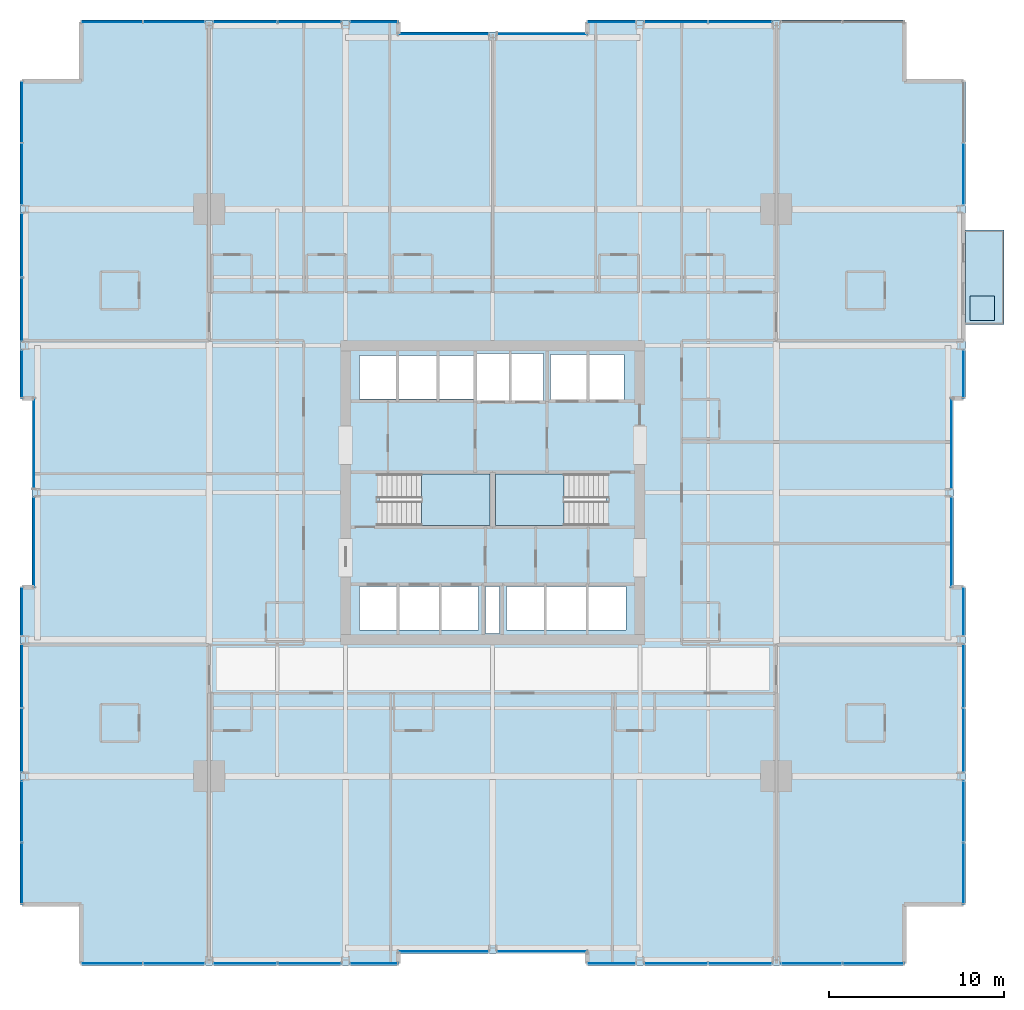
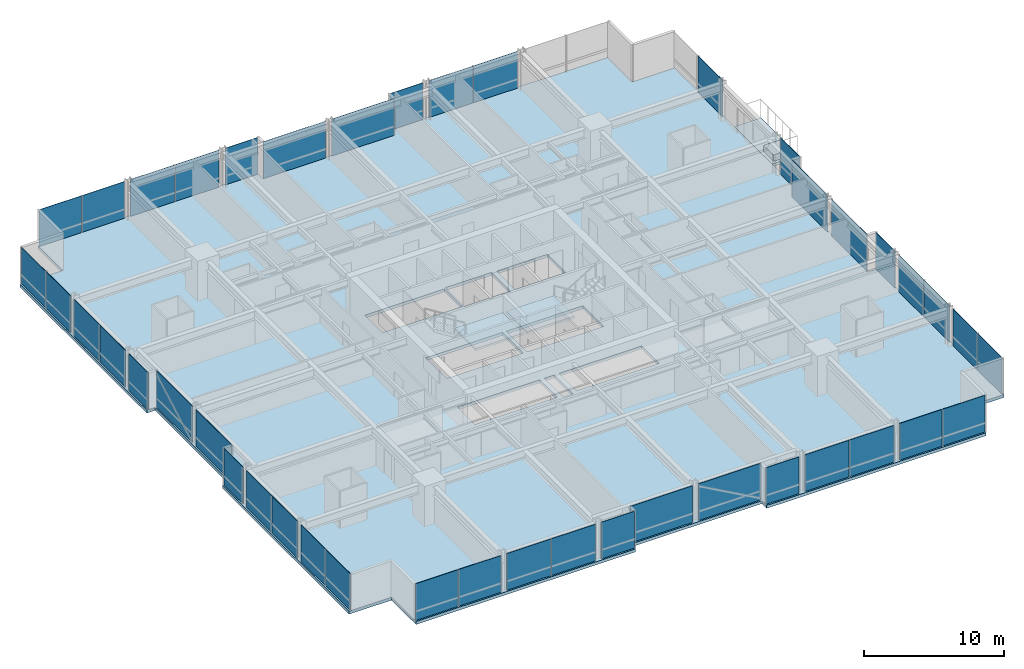
# One storey, part 29 of 38: 43 plates, 5 slabs, 32 elements without a shape of their own.
"""IFC4 building model written with IfcOpenShell, lengths in metres."""

from ifc_helpers import new_model, si_unit, direction, frame, origin, origin_2d, place, context, subcontext, project, spatial, polyline, rectangle, outline, extrude, material, layer, layer_set, type_object, element, aggregate, save


model = new_model("IFC4")

# Units and contexts
model_context = context("Model", 3, precision=1e-05, world=origin(), true_north=direction((0.0, 1.0)))
body_context = subcontext(model_context, "Body", "Model", "MODEL_VIEW")
ifc_project = project(units=[si_unit("LENGTHUNIT", "METRE"), si_unit("AREAUNIT", "SQUARE_METRE"), si_unit("VOLUMEUNIT", "CUBIC_METRE"), si_unit("PLANEANGLEUNIT", "RADIAN"), si_unit("MASSUNIT", "GRAM", prefix="KILO")], contexts=[model_context])

# Site, building, storey
site_placement = place(None, origin())
site = spatial("IfcSite", under=ifc_project, at=site_placement, CompositionType="ELEMENT")
building_placement = place(site_placement, origin())
building = spatial("IfcBuilding", under=site, at=building_placement, Name="Drelvath Grand Hotel", CompositionType="ELEMENT")
storey_placement = place(building_placement, frame((0.0, 0.0, 71.699951171875)))
storey = spatial("IfcBuildingStorey", under=building, at=storey_placement, Name="L17", CompositionType="ELEMENT", Elevation=71.699951171875)

# Slabs
ifc_material_1 = material(Name="Concrete f'c 40 MPa", Category="concrete")
ifc_layer_1 = layer(ifc_material_1, 0.239990234375)
ifc_layer_set_1 = layer_set([ifc_layer_1], Name="Concrete f'c 40 MPa")
slab_type_1 = type_object("IfcSlabType", Name="Cantilevered Tree Balcony Slab 240", PredefinedType="FLOOR", material=ifc_layer_set_1)
slab_1_placement = place(storey_placement, frame((0.0, 0.0, -0.239990234375)))
element("IfcSlab", 1, at=slab_1_placement, inside=storey, type_object=slab_type_1, Name="L17 Cantilevered Tree Balcony Slab 1", PredefinedType="FLOOR", context=body_context, shape_type="SweptSolid", body=[
    extrude(outline(polyline([(27.0, 36.60009765625), (29.199951171875, 36.60009765625), (29.199951171875, 42.0), (27.0, 42.0), (27.0, 36.60009765625)])), origin(), (0.0, 0.0, 1.0), 0.239990234375),
])
ifc_layer_2 = layer(ifc_material_1, 0.260009765625)
ifc_layer_set_2 = layer_set([ifc_layer_2], Name="Concrete f'c 40 MPa")
slab_type_2 = type_object("IfcSlabType", Name="Composite RC Floor Slab 260", PredefinedType="FLOOR", material=ifc_layer_set_2)
slab_2_placement = place(storey_placement, frame((0.0, 0.0, -0.260009765625)))
element("IfcSlab", 2, at=slab_2_placement, inside=storey, type_object=slab_type_2, Name="L17 Structural Floor Slab", PredefinedType="FLOOR", context=body_context, shape_type="SweptSolid", body=[
    extrude(outline(polyline([(-23.5, 0.0), (-5.39990234375, 0.0), (-5.39990234375, 0.679931640625), (5.39990234375, 0.679931640625), (5.39990234375, 0.0), (23.5, 0.0), (23.5, 3.5), (27.0, 3.5), (27.0, 21.60009765625), (26.320068359375, 21.60009765625), (26.320068359375, 32.39990234375), (27.0, 32.39990234375), (27.0, 50.5), (23.5, 50.5), (23.5, 54.0), (5.39990234375, 54.0), (5.39990234375, 53.320068359375), (-5.39990234375, 53.320068359375), (-5.39990234375, 54.0), (-23.5, 54.0), (-23.5, 50.5), (-27.0, 50.5), (-27.0, 32.39990234375), (-26.320068359375, 32.39990234375), (-26.320068359375, 21.60009765625), (-27.0, 21.60009765625), (-27.0, 3.5), (-23.5, 3.5), (-23.5, 0.0)]), holes=[polyline([(-6.47998046875, 25.1201171875), (-6.47998046875, 28.080078125), (-0.14990234375, 28.080078125), (-0.14990234375, 25.1201171875), (-6.47998046875, 25.1201171875)]), polyline([(0.14990234375, 25.1201171875), (0.14990234375, 28.080078125), (6.47998046875, 28.080078125), (6.47998046875, 25.1201171875), (0.14990234375, 25.1201171875)]), polyline([(-7.60009765625, 19.14990234375), (-7.60009765625, 21.64990234375), (-0.800048828125, 21.64990234375), (-0.800048828125, 19.14990234375), (-7.60009765625, 19.14990234375)]), polyline([(-0.39990234375, 18.9599609375), (-0.39990234375, 21.639892578125), (0.39990234375, 21.639892578125), (0.39990234375, 18.9599609375), (-0.39990234375, 18.9599609375)]), polyline([(0.800048828125, 19.14990234375), (0.800048828125, 21.64990234375), (7.60009765625, 21.64990234375), (7.60009765625, 19.14990234375), (0.800048828125, 19.14990234375)]), polyline([(-7.60009765625, 32.35009765625), (-7.60009765625, 34.85009765625), (-1.02001953125, 34.85009765625), (-1.02001953125, 32.35009765625), (-7.60009765625, 32.35009765625)]), polyline([(-0.89990234375, 32.25), (-0.89990234375, 34.949951171875), (2.89990234375, 34.949951171875), (2.89990234375, 32.25), (-0.89990234375, 32.25)]), polyline([(3.300048828125, 32.300048828125), (3.300048828125, 34.89990234375), (7.5, 34.89990234375), (7.5, 32.300048828125), (3.300048828125, 32.300048828125)])]), origin(), (0.0, 0.0, 1.0), 0.260009765625),
])

# Stair, slab
ifc_material_2 = material(Name="Concrete C40/50", Category="concrete")
stair_type = type_object("IfcStairType", Name="Dogleg Exit Stair W1400-R175.0", PredefinedType="HALF_TURN_STAIR", material=ifc_material_2)
stair_1_placement = place(storey_placement, origin())
stair_1 = element("IfcStair", 3, at=stair_1_placement, inside=storey, type_object=stair_type, Name="L17 Core Exit Stair ST-1", PredefinedType="HALF_TURN_STAIR")
ifc_layer_3 = layer(ifc_material_2, 0.199951171875)
ifc_layer_set_3 = layer_set([ifc_layer_3], Name="Concrete C40/50")
slab_type_3 = type_object("IfcSlabType", Name="Concrete Stair Landing Slab 200", PredefinedType="LANDING", material=ifc_layer_set_3)
slab_3_placement = place(storey_placement, frame((0.0, 0.0, 1.550048828125)))
slab_3 = element("IfcSlab", 4, at=slab_3_placement, type_object=slab_type_3, Name="ST-1 landing 1", PredefinedType="LANDING", context=body_context, shape_type="SweptSolid", body=[
    extrude(outline(polyline([(-4.080078125, 25.1201171875), (-0.14990234375, 25.1201171875), (-0.14990234375, 28.080078125), (-4.080078125, 28.080078125), (-4.080078125, 25.1201171875)])), origin(), (0.0, 0.0, 1.0), 0.199951171875),
])
aggregate(stair_1, [slab_3])

stair_2_placement = place(storey_placement, origin())
stair_2 = element("IfcStair", 5, at=stair_2_placement, inside=storey, type_object=stair_type, Name="L17 Core Exit Stair ST-2", PredefinedType="HALF_TURN_STAIR")
slab_4_placement = place(storey_placement, frame((0.0, 0.0, 1.550048828125)))
slab_4 = element("IfcSlab", 6, at=slab_4_placement, type_object=slab_type_3, Name="ST-2 landing 1", PredefinedType="LANDING", context=body_context, shape_type="SweptSolid", body=[
    extrude(outline(polyline([(4.080078125, 28.080078125), (0.14990234375, 28.080078125), (0.14990234375, 25.1201171875), (4.080078125, 25.1201171875), (4.080078125, 28.080078125)])), origin(), (0.0, 0.0, 1.0), 0.199951171875),
])
aggregate(stair_2, [slab_4])

# Curtain wall, plates
ifc_material_3 = material(Name="Warm Bronze Anodised Aluminium Frame", Category="aluminium")
ifc_layer_4 = layer(ifc_material_3, 0.199951171875)
ifc_layer_set_4 = layer_set([ifc_layer_4], Name="Warm Bronze Anodised Aluminium Frame")
curtain_wall_type = type_object("IfcCurtainWallType", Name="Stick Curtain Wall CW-02 Warm Bronze Low-Rise", PredefinedType="NOTDEFINED", material=ifc_layer_set_4)
curtain_wall_1_placement = place(storey_placement, origin())
curtain_wall_1 = element("IfcCurtainWall", 7, at=curtain_wall_1_placement, inside=storey, type_object=curtain_wall_type, Name="L17 CW-02 Curtain Wall CW02-L17-WS1", PredefinedType="NOTDEFINED")
ifc_material_4 = material(Name="Low-E Triple Silver Vision Glass Bronze Tint", Category="glass")
ifc_layer_5 = layer(ifc_material_4, 0.035888671875)
ifc_layer_set_5 = layer_set([ifc_layer_5], Name="Low-E Triple Silver Vision Glass Bronze Tint")
plate_type = type_object("IfcPlateType", Name="Curtain Wall Vision Panel CW-02 36mm", PredefinedType="CURTAIN_PANEL", material=ifc_layer_set_5)
plate_1_placement = place(storey_placement, frame((-26.8798828125, 5.267578125, 0.02001953125), z_axis=(0.0, 0.0, 1.0), x_axis=(0.0, 1.0, 0.0)))
plate_1 = element("IfcPlate", 8, at=plate_1_placement, type_object=plate_type, Name="CW02-L17-WS1 Glazed Panel 1", PredefinedType="CURTAIN_PANEL", context=body_context, shape_type="SweptSolid", body=[
    extrude(rectangle(XDim=3.495361328125, YDim=0.035888671875, at=origin_2d()), origin(), (0.0, 0.0, 1.0), 3.199951171875),
])
plate_2_placement = place(storey_placement, frame((-26.8798828125, 8.80322265625, 0.02001953125), z_axis=(0.0, 0.0, 1.0), x_axis=(0.0, 1.0, 0.0)))
plate_2 = element("IfcPlate", 9, at=plate_2_placement, type_object=plate_type, Name="CW02-L17-WS1 Glazed Panel 2", PredefinedType="CURTAIN_PANEL", context=body_context, shape_type="SweptSolid", body=[
    extrude(rectangle(XDim=3.495361328125, YDim=0.035888671875, at=origin_2d()), origin(), (0.0, 0.0, 1.0), 3.199951171875),
])
aggregate(curtain_wall_1, [plate_1, plate_2])

curtain_wall_2_placement = place(storey_placement, origin())
curtain_wall_2 = element("IfcCurtainWall", 10, at=curtain_wall_2_placement, inside=storey, type_object=curtain_wall_type, Name="L17 CW-02 Curtain Wall CW02-L17-WS2", PredefinedType="NOTDEFINED")
plate_3_placement = place(storey_placement, frame((-26.8798828125, 12.864501953125, 0.02001953125), z_axis=(0.0, 0.0, 1.0), x_axis=(0.0, 1.0, 0.0)))
plate_3 = element("IfcPlate", 11, at=plate_3_placement, type_object=plate_type, Name="CW02-L17-WS2 Glazed Panel 1", PredefinedType="CURTAIN_PANEL", context=body_context, shape_type="SweptSolid", body=[
    extrude(rectangle(XDim=3.630859375, YDim=0.035888671875, at=origin_2d()), origin(), (0.0, 0.0, 1.0), 3.199951171875),
])
plate_4_placement = place(storey_placement, frame((-26.8798828125, 16.535400390625, 0.02001953125), z_axis=(0.0, 0.0, 1.0), x_axis=(0.0, 1.0, 0.0)))
plate_4 = element("IfcPlate", 12, at=plate_4_placement, type_object=plate_type, Name="CW02-L17-WS2 Glazed Panel 2", PredefinedType="CURTAIN_PANEL", context=body_context, shape_type="SweptSolid", body=[
    extrude(rectangle(XDim=3.630859375, YDim=0.035888671875, at=origin_2d()), origin(), (0.0, 0.0, 1.0), 3.199951171875),
])
aggregate(curtain_wall_2, [plate_3, plate_4])

# Curtain wall, plate
curtain_wall_3_placement = place(storey_placement, origin())
curtain_wall_3 = element("IfcCurtainWall", 13, at=curtain_wall_3_placement, inside=storey, type_object=curtain_wall_type, Name="L17 CW-02 Curtain Wall CW02-L17-WS3", PredefinedType="NOTDEFINED")
plate_5_placement = place(storey_placement, frame((-26.8798828125, 20.214599609375, 0.02001953125), z_axis=(0.0, 0.0, 1.0), x_axis=(0.0, 1.0, 0.0)))
plate_5 = element("IfcPlate", 14, at=plate_5_placement, type_object=plate_type, Name="CW02-L17-WS3 Glazed Panel 1", PredefinedType="CURTAIN_PANEL", context=body_context, shape_type="SweptSolid", body=[
    extrude(rectangle(XDim=2.73095703125, YDim=0.035888671875, at=origin_2d()), origin(), (0.0, 0.0, 1.0), 3.199951171875),
])
aggregate(curtain_wall_3, [plate_5])

curtain_wall_4_placement = place(storey_placement, origin())
curtain_wall_4 = element("IfcCurtainWall", 15, at=curtain_wall_4_placement, inside=storey, type_object=curtain_wall_type, Name="L17 CW-02 Curtain Wall CW02-L17-WM1", PredefinedType="NOTDEFINED")
plate_6_placement = place(storey_placement, frame((-26.199951171875, 24.185302734375, 0.02001953125), z_axis=(0.0, 0.0, 1.0), x_axis=(0.0, 1.0, 0.0)))
plate_6 = element("IfcPlate", 16, at=plate_6_placement, type_object=plate_type, Name="CW02-L17-WM1 Glazed Panel 1", PredefinedType="CURTAIN_PANEL", context=body_context, shape_type="SweptSolid", body=[
    extrude(rectangle(XDim=5.130859375, YDim=0.035888671875, at=origin_2d()), origin(), (0.0, 0.0, 1.0), 3.199951171875),
])
aggregate(curtain_wall_4, [plate_6])

curtain_wall_5_placement = place(storey_placement, origin())
curtain_wall_5 = element("IfcCurtainWall", 17, at=curtain_wall_5_placement, inside=storey, type_object=curtain_wall_type, Name="L17 CW-02 Curtain Wall CW02-L17-WM2", PredefinedType="NOTDEFINED")
plate_7_placement = place(storey_placement, frame((-26.199951171875, 29.814697265625, 0.02001953125), z_axis=(0.0, 0.0, 1.0), x_axis=(0.0, 1.0, 0.0)))
plate_7 = element("IfcPlate", 18, at=plate_7_placement, type_object=plate_type, Name="CW02-L17-WM2 Glazed Panel 1", PredefinedType="CURTAIN_PANEL", context=body_context, shape_type="SweptSolid", body=[
    extrude(rectangle(XDim=5.130859375, YDim=0.035888671875, at=origin_2d()), origin(), (0.0, 0.0, 1.0), 3.199951171875),
])
aggregate(curtain_wall_5, [plate_7])

curtain_wall_6_placement = place(storey_placement, origin())
curtain_wall_6 = element("IfcCurtainWall", 19, at=curtain_wall_6_placement, inside=storey, type_object=curtain_wall_type, Name="L17 CW-02 Curtain Wall CW02-L17-WN1", PredefinedType="NOTDEFINED")
plate_8_placement = place(storey_placement, frame((-26.8798828125, 33.785400390625, 0.02001953125), z_axis=(0.0, 0.0, 1.0), x_axis=(0.0, 1.0, 0.0)))
plate_8 = element("IfcPlate", 20, at=plate_8_placement, type_object=plate_type, Name="CW02-L17-WN1 Glazed Panel 1", PredefinedType="CURTAIN_PANEL", context=body_context, shape_type="SweptSolid", body=[
    extrude(rectangle(XDim=2.73095703125, YDim=0.035888671875, at=origin_2d()), origin(), (0.0, 0.0, 1.0), 3.199951171875),
])
aggregate(curtain_wall_6, [plate_8])

# Curtain wall, plates
curtain_wall_7_placement = place(storey_placement, origin())
curtain_wall_7 = element("IfcCurtainWall", 21, at=curtain_wall_7_placement, inside=storey, type_object=curtain_wall_type, Name="L17 CW-02 Curtain Wall CW02-L17-WN2", PredefinedType="NOTDEFINED")
plate_9_placement = place(storey_placement, frame((-26.8798828125, 37.464599609375, 0.02001953125), z_axis=(0.0, 0.0, 1.0), x_axis=(0.0, 1.0, 0.0)))
plate_9 = element("IfcPlate", 22, at=plate_9_placement, type_object=plate_type, Name="CW02-L17-WN2 Glazed Panel 1", PredefinedType="CURTAIN_PANEL", context=body_context, shape_type="SweptSolid", body=[
    extrude(rectangle(XDim=3.630859375, YDim=0.035888671875, at=origin_2d()), origin(), (0.0, 0.0, 1.0), 3.199951171875),
])
plate_10_placement = place(storey_placement, frame((-26.8798828125, 41.135498046875, 0.02001953125), z_axis=(0.0, 0.0, 1.0), x_axis=(0.0, 1.0, 0.0)))
plate_10 = element("IfcPlate", 23, at=plate_10_placement, type_object=plate_type, Name="CW02-L17-WN2 Glazed Panel 2", PredefinedType="CURTAIN_PANEL", context=body_context, shape_type="SweptSolid", body=[
    extrude(rectangle(XDim=3.630859375, YDim=0.035888671875, at=origin_2d()), origin(), (0.0, 0.0, 1.0), 3.199951171875),
])
aggregate(curtain_wall_7, [plate_9, plate_10])

curtain_wall_8_placement = place(storey_placement, origin())
curtain_wall_8 = element("IfcCurtainWall", 24, at=curtain_wall_8_placement, inside=storey, type_object=curtain_wall_type, Name="L17 CW-02 Curtain Wall CW02-L17-WN3", PredefinedType="NOTDEFINED")
plate_11_placement = place(storey_placement, frame((-26.8798828125, 45.19677734375, 0.02001953125), z_axis=(0.0, 0.0, 1.0), x_axis=(0.0, 1.0, 0.0)))
plate_11 = element("IfcPlate", 25, at=plate_11_placement, type_object=plate_type, Name="CW02-L17-WN3 Glazed Panel 1", PredefinedType="CURTAIN_PANEL", context=body_context, shape_type="SweptSolid", body=[
    extrude(rectangle(XDim=3.49560546875, YDim=0.035888671875, at=origin_2d()), origin(), (0.0, 0.0, 1.0), 3.199951171875),
])
plate_12_placement = place(storey_placement, frame((-26.8798828125, 48.732421875, 0.02001953125), z_axis=(0.0, 0.0, 1.0), x_axis=(0.0, 1.0, 0.0)))
plate_12 = element("IfcPlate", 26, at=plate_12_placement, type_object=plate_type, Name="CW02-L17-WN3 Glazed Panel 2", PredefinedType="CURTAIN_PANEL", context=body_context, shape_type="SweptSolid", body=[
    extrude(rectangle(XDim=3.49560546875, YDim=0.035888671875, at=origin_2d()), origin(), (0.0, 0.0, 1.0), 3.199951171875),
])
aggregate(curtain_wall_8, [plate_11, plate_12])

# Curtain wall, plate
curtain_wall_9_placement = place(storey_placement, origin())
curtain_wall_9 = element("IfcCurtainWall", 27, at=curtain_wall_9_placement, inside=storey, type_object=curtain_wall_type, Name="L17 CW-02 Curtain Wall CW02-L17-EN1", PredefinedType="NOTDEFINED")
plate_13_placement = place(storey_placement, frame((26.8798828125, 33.785400390625, 0.02001953125), z_axis=(0.0, 0.0, 1.0), x_axis=(0.0, -1.0, 0.0)))
plate_13 = element("IfcPlate", 28, at=plate_13_placement, type_object=plate_type, Name="CW02-L17-EN1 Glazed Panel 1", PredefinedType="CURTAIN_PANEL", context=body_context, shape_type="SweptSolid", body=[
    extrude(rectangle(XDim=2.73095703125, YDim=0.035888671875, at=origin_2d()), origin(), (0.0, 0.0, 1.0), 3.199951171875),
])
aggregate(curtain_wall_9, [plate_13])

curtain_wall_10_placement = place(storey_placement, origin())
curtain_wall_10 = element("IfcCurtainWall", 29, at=curtain_wall_10_placement, inside=storey, type_object=curtain_wall_type, Name="L17 CW-02 Curtain Wall CW02-L17-EN3", PredefinedType="NOTDEFINED")
plate_14_placement = place(storey_placement, frame((26.8798828125, 45.19677734375, 0.02001953125), z_axis=(0.0, 0.0, 1.0), x_axis=(0.0, -1.0, 0.0)))
plate_14 = element("IfcPlate", 30, at=plate_14_placement, type_object=plate_type, Name="CW02-L17-EN3 Glazed Panel 2", PredefinedType="CURTAIN_PANEL", context=body_context, shape_type="SweptSolid", body=[
    extrude(rectangle(XDim=3.49560546875, YDim=0.035888671875, at=origin_2d()), origin(), (0.0, 0.0, 1.0), 3.199951171875),
])
aggregate(curtain_wall_10, [plate_14])

curtain_wall_11_placement = place(storey_placement, origin())
curtain_wall_11 = element("IfcCurtainWall", 31, at=curtain_wall_11_placement, inside=storey, type_object=curtain_wall_type, Name="L17 CW-02 Curtain Wall CW02-L17-EM1", PredefinedType="NOTDEFINED")
plate_15_placement = place(storey_placement, frame((26.199951171875, 24.185302734375, 0.02001953125), z_axis=(0.0, 0.0, 1.0), x_axis=(0.0, -1.0, 0.0)))
plate_15 = element("IfcPlate", 32, at=plate_15_placement, type_object=plate_type, Name="CW02-L17-EM1 Glazed Panel 1", PredefinedType="CURTAIN_PANEL", context=body_context, shape_type="SweptSolid", body=[
    extrude(rectangle(XDim=5.130859375, YDim=0.035888671875, at=origin_2d()), origin(), (0.0, 0.0, 1.0), 3.199951171875),
])
aggregate(curtain_wall_11, [plate_15])

curtain_wall_12_placement = place(storey_placement, origin())
curtain_wall_12 = element("IfcCurtainWall", 33, at=curtain_wall_12_placement, inside=storey, type_object=curtain_wall_type, Name="L17 CW-02 Curtain Wall CW02-L17-EM2", PredefinedType="NOTDEFINED")
plate_16_placement = place(storey_placement, frame((26.199951171875, 29.814697265625, 0.02001953125), z_axis=(0.0, 0.0, 1.0), x_axis=(0.0, -1.0, 0.0)))
plate_16 = element("IfcPlate", 34, at=plate_16_placement, type_object=plate_type, Name="CW02-L17-EM2 Glazed Panel 1", PredefinedType="CURTAIN_PANEL", context=body_context, shape_type="SweptSolid", body=[
    extrude(rectangle(XDim=5.130859375, YDim=0.035888671875, at=origin_2d()), origin(), (0.0, 0.0, 1.0), 3.199951171875),
])
aggregate(curtain_wall_12, [plate_16])

# Curtain wall, plates
curtain_wall_13_placement = place(storey_placement, origin())
curtain_wall_13 = element("IfcCurtainWall", 35, at=curtain_wall_13_placement, inside=storey, type_object=curtain_wall_type, Name="L17 CW-02 Curtain Wall CW02-L17-ES1", PredefinedType="NOTDEFINED")
plate_17_placement = place(storey_placement, frame((26.8798828125, 8.80322265625, 0.02001953125), z_axis=(0.0, 0.0, 1.0), x_axis=(0.0, -1.0, 0.0)))
plate_17 = element("IfcPlate", 36, at=plate_17_placement, type_object=plate_type, Name="CW02-L17-ES1 Glazed Panel 1", PredefinedType="CURTAIN_PANEL", context=body_context, shape_type="SweptSolid", body=[
    extrude(rectangle(XDim=3.495361328125, YDim=0.035888671875, at=origin_2d()), origin(), (0.0, 0.0, 1.0), 3.199951171875),
])
plate_18_placement = place(storey_placement, frame((26.8798828125, 5.267578125, 0.02001953125), z_axis=(0.0, 0.0, 1.0), x_axis=(0.0, -1.0, 0.0)))
plate_18 = element("IfcPlate", 37, at=plate_18_placement, type_object=plate_type, Name="CW02-L17-ES1 Glazed Panel 2", PredefinedType="CURTAIN_PANEL", context=body_context, shape_type="SweptSolid", body=[
    extrude(rectangle(XDim=3.495361328125, YDim=0.035888671875, at=origin_2d()), origin(), (0.0, 0.0, 1.0), 3.199951171875),
])
aggregate(curtain_wall_13, [plate_17, plate_18])

curtain_wall_14_placement = place(storey_placement, origin())
curtain_wall_14 = element("IfcCurtainWall", 38, at=curtain_wall_14_placement, inside=storey, type_object=curtain_wall_type, Name="L17 CW-02 Curtain Wall CW02-L17-ES2", PredefinedType="NOTDEFINED")
plate_19_placement = place(storey_placement, frame((26.8798828125, 16.535400390625, 0.02001953125), z_axis=(0.0, 0.0, 1.0), x_axis=(0.0, -1.0, 0.0)))
plate_19 = element("IfcPlate", 39, at=plate_19_placement, type_object=plate_type, Name="CW02-L17-ES2 Glazed Panel 1", PredefinedType="CURTAIN_PANEL", context=body_context, shape_type="SweptSolid", body=[
    extrude(rectangle(XDim=3.630859375, YDim=0.035888671875, at=origin_2d()), origin(), (0.0, 0.0, 1.0), 3.199951171875),
])
plate_20_placement = place(storey_placement, frame((26.8798828125, 12.864501953125, 0.02001953125), z_axis=(0.0, 0.0, 1.0), x_axis=(0.0, -1.0, 0.0)))
plate_20 = element("IfcPlate", 40, at=plate_20_placement, type_object=plate_type, Name="CW02-L17-ES2 Glazed Panel 2", PredefinedType="CURTAIN_PANEL", context=body_context, shape_type="SweptSolid", body=[
    extrude(rectangle(XDim=3.630859375, YDim=0.035888671875, at=origin_2d()), origin(), (0.0, 0.0, 1.0), 3.199951171875),
])
aggregate(curtain_wall_14, [plate_19, plate_20])

# Curtain wall, plate
curtain_wall_15_placement = place(storey_placement, origin())
curtain_wall_15 = element("IfcCurtainWall", 41, at=curtain_wall_15_placement, inside=storey, type_object=curtain_wall_type, Name="L17 CW-02 Curtain Wall CW02-L17-ES3", PredefinedType="NOTDEFINED")
plate_21_placement = place(storey_placement, frame((26.8798828125, 20.214599609375, 0.02001953125), z_axis=(0.0, 0.0, 1.0), x_axis=(0.0, -1.0, 0.0)))
plate_21 = element("IfcPlate", 42, at=plate_21_placement, type_object=plate_type, Name="CW02-L17-ES3 Glazed Panel 1", PredefinedType="CURTAIN_PANEL", context=body_context, shape_type="SweptSolid", body=[
    extrude(rectangle(XDim=2.73095703125, YDim=0.035888671875, at=origin_2d()), origin(), (0.0, 0.0, 1.0), 3.199951171875),
])
aggregate(curtain_wall_15, [plate_21])

# Curtain wall, plates
curtain_wall_16_placement = place(storey_placement, origin())
curtain_wall_16 = element("IfcCurtainWall", 43, at=curtain_wall_16_placement, inside=storey, type_object=curtain_wall_type, Name="L17 CW-02 Curtain Wall CW02-L17-NW1", PredefinedType="NOTDEFINED")
plate_22_placement = place(storey_placement, frame((-21.732421875, 53.8798828125, 0.02001953125), z_axis=(0.0, 0.0, 1.0), x_axis=(1.0, 0.0, 0.0)))
plate_22 = element("IfcPlate", 44, at=plate_22_placement, type_object=plate_type, Name="CW02-L17-NW1 Glazed Panel 1", PredefinedType="CURTAIN_PANEL", context=body_context, shape_type="SweptSolid", body=[
    extrude(rectangle(XDim=3.49560546875, YDim=0.035888671875, at=origin_2d()), origin(), (0.0, 0.0, 1.0), 3.199951171875),
])
plate_23_placement = place(storey_placement, frame((-18.19677734375, 53.8798828125, 0.02001953125), z_axis=(0.0, 0.0, 1.0), x_axis=(1.0, 0.0, 0.0)))
plate_23 = element("IfcPlate", 45, at=plate_23_placement, type_object=plate_type, Name="CW02-L17-NW1 Glazed Panel 2", PredefinedType="CURTAIN_PANEL", context=body_context, shape_type="SweptSolid", body=[
    extrude(rectangle(XDim=3.49560546875, YDim=0.035888671875, at=origin_2d()), origin(), (0.0, 0.0, 1.0), 3.199951171875),
])
aggregate(curtain_wall_16, [plate_22, plate_23])

curtain_wall_17_placement = place(storey_placement, origin())
curtain_wall_17 = element("IfcCurtainWall", 46, at=curtain_wall_17_placement, inside=storey, type_object=curtain_wall_type, Name="L17 CW-02 Curtain Wall CW02-L17-NW2", PredefinedType="NOTDEFINED")
plate_24_placement = place(storey_placement, frame((-14.135498046875, 53.8798828125, 0.02001953125), z_axis=(0.0, 0.0, 1.0), x_axis=(1.0, 0.0, 0.0)))
plate_24 = element("IfcPlate", 47, at=plate_24_placement, type_object=plate_type, Name="CW02-L17-NW2 Glazed Panel 1", PredefinedType="CURTAIN_PANEL", context=body_context, shape_type="SweptSolid", body=[
    extrude(rectangle(XDim=3.630859375, YDim=0.035888671875, at=origin_2d()), origin(), (0.0, 0.0, 1.0), 3.199951171875),
])
plate_25_placement = place(storey_placement, frame((-10.464599609375, 53.8798828125, 0.02001953125), z_axis=(0.0, 0.0, 1.0), x_axis=(1.0, 0.0, 0.0)))
plate_25 = element("IfcPlate", 48, at=plate_25_placement, type_object=plate_type, Name="CW02-L17-NW2 Glazed Panel 2", PredefinedType="CURTAIN_PANEL", context=body_context, shape_type="SweptSolid", body=[
    extrude(rectangle(XDim=3.630859375, YDim=0.035888671875, at=origin_2d()), origin(), (0.0, 0.0, 1.0), 3.199951171875),
])
aggregate(curtain_wall_17, [plate_24, plate_25])

# Curtain wall, plate
curtain_wall_18_placement = place(storey_placement, origin())
curtain_wall_18 = element("IfcCurtainWall", 49, at=curtain_wall_18_placement, inside=storey, type_object=curtain_wall_type, Name="L17 CW-02 Curtain Wall CW02-L17-NW3", PredefinedType="NOTDEFINED")
plate_26_placement = place(storey_placement, frame((-6.785400390625, 53.8798828125, 0.02001953125), z_axis=(0.0, 0.0, 1.0), x_axis=(1.0, 0.0, 0.0)))
plate_26 = element("IfcPlate", 50, at=plate_26_placement, type_object=plate_type, Name="CW02-L17-NW3 Glazed Panel 1", PredefinedType="CURTAIN_PANEL", context=body_context, shape_type="SweptSolid", body=[
    extrude(rectangle(XDim=2.73095703125, YDim=0.035888671875, at=origin_2d()), origin(), (0.0, 0.0, 1.0), 3.199951171875),
])
aggregate(curtain_wall_18, [plate_26])

curtain_wall_19_placement = place(storey_placement, origin())
curtain_wall_19 = element("IfcCurtainWall", 51, at=curtain_wall_19_placement, inside=storey, type_object=curtain_wall_type, Name="L17 CW-02 Curtain Wall CW02-L17-NM1", PredefinedType="NOTDEFINED")
plate_27_placement = place(storey_placement, frame((-2.814697265625, 53.199951171875, 0.02001953125), z_axis=(0.0, 0.0, 1.0), x_axis=(1.0, 0.0, 0.0)))
plate_27 = element("IfcPlate", 52, at=plate_27_placement, type_object=plate_type, Name="CW02-L17-NM1 Glazed Panel 1", PredefinedType="CURTAIN_PANEL", context=body_context, shape_type="SweptSolid", body=[
    extrude(rectangle(XDim=5.130859375, YDim=0.035888671875, at=origin_2d()), origin(), (0.0, 0.0, 1.0), 3.199951171875),
])
aggregate(curtain_wall_19, [plate_27])

curtain_wall_20_placement = place(storey_placement, origin())
curtain_wall_20 = element("IfcCurtainWall", 53, at=curtain_wall_20_placement, inside=storey, type_object=curtain_wall_type, Name="L17 CW-02 Curtain Wall CW02-L17-NM2", PredefinedType="NOTDEFINED")
plate_28_placement = place(storey_placement, frame((2.814697265625, 53.199951171875, 0.02001953125), z_axis=(0.0, 0.0, 1.0), x_axis=(1.0, 0.0, 0.0)))
plate_28 = element("IfcPlate", 54, at=plate_28_placement, type_object=plate_type, Name="CW02-L17-NM2 Glazed Panel 1", PredefinedType="CURTAIN_PANEL", context=body_context, shape_type="SweptSolid", body=[
    extrude(rectangle(XDim=5.130859375, YDim=0.035888671875, at=origin_2d()), origin(), (0.0, 0.0, 1.0), 3.199951171875),
])
aggregate(curtain_wall_20, [plate_28])

curtain_wall_21_placement = place(storey_placement, origin())
curtain_wall_21 = element("IfcCurtainWall", 55, at=curtain_wall_21_placement, inside=storey, type_object=curtain_wall_type, Name="L17 CW-02 Curtain Wall CW02-L17-NE1", PredefinedType="NOTDEFINED")
plate_29_placement = place(storey_placement, frame((6.785400390625, 53.8798828125, 0.02001953125), z_axis=(0.0, 0.0, 1.0), x_axis=(1.0, 0.0, 0.0)))
plate_29 = element("IfcPlate", 56, at=plate_29_placement, type_object=plate_type, Name="CW02-L17-NE1 Glazed Panel 1", PredefinedType="CURTAIN_PANEL", context=body_context, shape_type="SweptSolid", body=[
    extrude(rectangle(XDim=2.73095703125, YDim=0.035888671875, at=origin_2d()), origin(), (0.0, 0.0, 1.0), 3.199951171875),
])
aggregate(curtain_wall_21, [plate_29])

# Curtain wall, plates
curtain_wall_22_placement = place(storey_placement, origin())
curtain_wall_22 = element("IfcCurtainWall", 57, at=curtain_wall_22_placement, inside=storey, type_object=curtain_wall_type, Name="L17 CW-02 Curtain Wall CW02-L17-NE2", PredefinedType="NOTDEFINED")
plate_30_placement = place(storey_placement, frame((10.464599609375, 53.8798828125, 0.02001953125), z_axis=(0.0, 0.0, 1.0), x_axis=(1.0, 0.0, 0.0)))
plate_30 = element("IfcPlate", 58, at=plate_30_placement, type_object=plate_type, Name="CW02-L17-NE2 Glazed Panel 1", PredefinedType="CURTAIN_PANEL", context=body_context, shape_type="SweptSolid", body=[
    extrude(rectangle(XDim=3.630859375, YDim=0.035888671875, at=origin_2d()), origin(), (0.0, 0.0, 1.0), 3.199951171875),
])
plate_31_placement = place(storey_placement, frame((14.135498046875, 53.8798828125, 0.02001953125), z_axis=(0.0, 0.0, 1.0), x_axis=(1.0, 0.0, 0.0)))
plate_31 = element("IfcPlate", 59, at=plate_31_placement, type_object=plate_type, Name="CW02-L17-NE2 Glazed Panel 2", PredefinedType="CURTAIN_PANEL", context=body_context, shape_type="SweptSolid", body=[
    extrude(rectangle(XDim=3.630859375, YDim=0.035888671875, at=origin_2d()), origin(), (0.0, 0.0, 1.0), 3.199951171875),
])
aggregate(curtain_wall_22, [plate_30, plate_31])

# Curtain wall, plate
curtain_wall_23_placement = place(storey_placement, origin())
curtain_wall_23 = element("IfcCurtainWall", 60, at=curtain_wall_23_placement, inside=storey, type_object=curtain_wall_type, Name="L17 CW-02 Curtain Wall CW02-L17-SE1", PredefinedType="NOTDEFINED")
plate_32_placement = place(storey_placement, frame((6.785400390625, 0.1201171875, 0.02001953125), z_axis=(0.0, 0.0, 1.0), x_axis=(-1.0, 0.0, 0.0)))
plate_32 = element("IfcPlate", 61, at=plate_32_placement, type_object=plate_type, Name="CW02-L17-SE1 Glazed Panel 1", PredefinedType="CURTAIN_PANEL", context=body_context, shape_type="SweptSolid", body=[
    extrude(rectangle(XDim=2.73095703125, YDim=0.035888671875, at=origin_2d()), origin(), (0.0, 0.0, 1.0), 3.199951171875),
])
aggregate(curtain_wall_23, [plate_32])

# Curtain wall, plates
curtain_wall_24_placement = place(storey_placement, origin())
curtain_wall_24 = element("IfcCurtainWall", 62, at=curtain_wall_24_placement, inside=storey, type_object=curtain_wall_type, Name="L17 CW-02 Curtain Wall CW02-L17-SE2", PredefinedType="NOTDEFINED")
plate_33_placement = place(storey_placement, frame((14.135498046875, 0.1201171875, 0.02001953125), z_axis=(0.0, 0.0, 1.0), x_axis=(-1.0, 0.0, 0.0)))
plate_33 = element("IfcPlate", 63, at=plate_33_placement, type_object=plate_type, Name="CW02-L17-SE2 Glazed Panel 1", PredefinedType="CURTAIN_PANEL", context=body_context, shape_type="SweptSolid", body=[
    extrude(rectangle(XDim=3.630859375, YDim=0.035888671875, at=origin_2d()), origin(), (0.0, 0.0, 1.0), 3.199951171875),
])
plate_34_placement = place(storey_placement, frame((10.464599609375, 0.1201171875, 0.02001953125), z_axis=(0.0, 0.0, 1.0), x_axis=(-1.0, 0.0, 0.0)))
plate_34 = element("IfcPlate", 64, at=plate_34_placement, type_object=plate_type, Name="CW02-L17-SE2 Glazed Panel 2", PredefinedType="CURTAIN_PANEL", context=body_context, shape_type="SweptSolid", body=[
    extrude(rectangle(XDim=3.630859375, YDim=0.035888671875, at=origin_2d()), origin(), (0.0, 0.0, 1.0), 3.199951171875),
])
aggregate(curtain_wall_24, [plate_33, plate_34])

curtain_wall_25_placement = place(storey_placement, origin())
curtain_wall_25 = element("IfcCurtainWall", 65, at=curtain_wall_25_placement, inside=storey, type_object=curtain_wall_type, Name="L17 CW-02 Curtain Wall CW02-L17-SE3", PredefinedType="NOTDEFINED")
plate_35_placement = place(storey_placement, frame((21.732421875, 0.1201171875, 0.02001953125), z_axis=(0.0, 0.0, 1.0), x_axis=(-1.0, 0.0, 0.0)))
plate_35 = element("IfcPlate", 66, at=plate_35_placement, type_object=plate_type, Name="CW02-L17-SE3 Glazed Panel 1", PredefinedType="CURTAIN_PANEL", context=body_context, shape_type="SweptSolid", body=[
    extrude(rectangle(XDim=3.49560546875, YDim=0.035888671875, at=origin_2d()), origin(), (0.0, 0.0, 1.0), 3.199951171875),
])
plate_36_placement = place(storey_placement, frame((18.19677734375, 0.1201171875, 0.02001953125), z_axis=(0.0, 0.0, 1.0), x_axis=(-1.0, 0.0, 0.0)))
plate_36 = element("IfcPlate", 67, at=plate_36_placement, type_object=plate_type, Name="CW02-L17-SE3 Glazed Panel 2", PredefinedType="CURTAIN_PANEL", context=body_context, shape_type="SweptSolid", body=[
    extrude(rectangle(XDim=3.49560546875, YDim=0.035888671875, at=origin_2d()), origin(), (0.0, 0.0, 1.0), 3.199951171875),
])
aggregate(curtain_wall_25, [plate_35, plate_36])

# Curtain wall, plate
curtain_wall_26_placement = place(storey_placement, origin())
curtain_wall_26 = element("IfcCurtainWall", 68, at=curtain_wall_26_placement, inside=storey, type_object=curtain_wall_type, Name="L17 CW-02 Curtain Wall CW02-L17-SM1", PredefinedType="NOTDEFINED")
plate_37_placement = place(storey_placement, frame((-2.814697265625, 0.800048828125, 0.02001953125), z_axis=(0.0, 0.0, 1.0), x_axis=(-1.0, 0.0, 0.0)))
plate_37 = element("IfcPlate", 69, at=plate_37_placement, type_object=plate_type, Name="CW02-L17-SM1 Glazed Panel 1", PredefinedType="CURTAIN_PANEL", context=body_context, shape_type="SweptSolid", body=[
    extrude(rectangle(XDim=5.130859375, YDim=0.035888671875, at=origin_2d()), origin(), (0.0, 0.0, 1.0), 3.199951171875),
])
aggregate(curtain_wall_26, [plate_37])

curtain_wall_27_placement = place(storey_placement, origin())
curtain_wall_27 = element("IfcCurtainWall", 70, at=curtain_wall_27_placement, inside=storey, type_object=curtain_wall_type, Name="L17 CW-02 Curtain Wall CW02-L17-SM2", PredefinedType="NOTDEFINED")
plate_38_placement = place(storey_placement, frame((2.814697265625, 0.800048828125, 0.02001953125), z_axis=(0.0, 0.0, 1.0), x_axis=(-1.0, 0.0, 0.0)))
plate_38 = element("IfcPlate", 71, at=plate_38_placement, type_object=plate_type, Name="CW02-L17-SM2 Glazed Panel 1", PredefinedType="CURTAIN_PANEL", context=body_context, shape_type="SweptSolid", body=[
    extrude(rectangle(XDim=5.130859375, YDim=0.035888671875, at=origin_2d()), origin(), (0.0, 0.0, 1.0), 3.199951171875),
])
aggregate(curtain_wall_27, [plate_38])

# Curtain wall, plates
curtain_wall_28_placement = place(storey_placement, origin())
curtain_wall_28 = element("IfcCurtainWall", 72, at=curtain_wall_28_placement, inside=storey, type_object=curtain_wall_type, Name="L17 CW-02 Curtain Wall CW02-L17-SW1", PredefinedType="NOTDEFINED")
plate_39_placement = place(storey_placement, frame((-18.19677734375, 0.1201171875, 0.02001953125), z_axis=(0.0, 0.0, 1.0), x_axis=(-1.0, 0.0, 0.0)))
plate_39 = element("IfcPlate", 73, at=plate_39_placement, type_object=plate_type, Name="CW02-L17-SW1 Glazed Panel 1", PredefinedType="CURTAIN_PANEL", context=body_context, shape_type="SweptSolid", body=[
    extrude(rectangle(XDim=3.49560546875, YDim=0.035888671875, at=origin_2d()), origin(), (0.0, 0.0, 1.0), 3.199951171875),
])
plate_40_placement = place(storey_placement, frame((-21.732421875, 0.1201171875, 0.02001953125), z_axis=(0.0, 0.0, 1.0), x_axis=(-1.0, 0.0, 0.0)))
plate_40 = element("IfcPlate", 74, at=plate_40_placement, type_object=plate_type, Name="CW02-L17-SW1 Glazed Panel 2", PredefinedType="CURTAIN_PANEL", context=body_context, shape_type="SweptSolid", body=[
    extrude(rectangle(XDim=3.49560546875, YDim=0.035888671875, at=origin_2d()), origin(), (0.0, 0.0, 1.0), 3.199951171875),
])
aggregate(curtain_wall_28, [plate_39, plate_40])

curtain_wall_29_placement = place(storey_placement, origin())
curtain_wall_29 = element("IfcCurtainWall", 75, at=curtain_wall_29_placement, inside=storey, type_object=curtain_wall_type, Name="L17 CW-02 Curtain Wall CW02-L17-SW2", PredefinedType="NOTDEFINED")
plate_41_placement = place(storey_placement, frame((-10.464599609375, 0.1201171875, 0.02001953125), z_axis=(0.0, 0.0, 1.0), x_axis=(-1.0, 0.0, 0.0)))
plate_41 = element("IfcPlate", 76, at=plate_41_placement, type_object=plate_type, Name="CW02-L17-SW2 Glazed Panel 1", PredefinedType="CURTAIN_PANEL", context=body_context, shape_type="SweptSolid", body=[
    extrude(rectangle(XDim=3.630859375, YDim=0.035888671875, at=origin_2d()), origin(), (0.0, 0.0, 1.0), 3.199951171875),
])
plate_42_placement = place(storey_placement, frame((-14.135498046875, 0.1201171875, 0.02001953125), z_axis=(0.0, 0.0, 1.0), x_axis=(-1.0, 0.0, 0.0)))
plate_42 = element("IfcPlate", 77, at=plate_42_placement, type_object=plate_type, Name="CW02-L17-SW2 Glazed Panel 2", PredefinedType="CURTAIN_PANEL", context=body_context, shape_type="SweptSolid", body=[
    extrude(rectangle(XDim=3.630859375, YDim=0.035888671875, at=origin_2d()), origin(), (0.0, 0.0, 1.0), 3.199951171875),
])
aggregate(curtain_wall_29, [plate_41, plate_42])

# Curtain wall, plate
curtain_wall_30_placement = place(storey_placement, origin())
curtain_wall_30 = element("IfcCurtainWall", 78, at=curtain_wall_30_placement, inside=storey, type_object=curtain_wall_type, Name="L17 CW-02 Curtain Wall CW02-L17-SW3", PredefinedType="NOTDEFINED")
plate_43_placement = place(storey_placement, frame((-6.785400390625, 0.1201171875, 0.02001953125), z_axis=(0.0, 0.0, 1.0), x_axis=(-1.0, 0.0, 0.0)))
plate_43 = element("IfcPlate", 79, at=plate_43_placement, type_object=plate_type, Name="CW02-L17-SW3 Glazed Panel 1", PredefinedType="CURTAIN_PANEL", context=body_context, shape_type="SweptSolid", body=[
    extrude(rectangle(XDim=2.73095703125, YDim=0.035888671875, at=origin_2d()), origin(), (0.0, 0.0, 1.0), 3.199951171875),
])
aggregate(curtain_wall_30, [plate_43])

# Slab
ifc_layer_6 = layer(ifc_material_1, 0.550048828125)
ifc_layer_set_6 = layer_set([ifc_layer_6], Name="Concrete f'c 40 MPa")
slab_type_4 = type_object("IfcSlabType", Name="Structural Tree Planter Box 550", PredefinedType="USERDEFINED", material=ifc_layer_set_6)
slab_5_placement = place(storey_placement, origin())
element("IfcSlab", 80, at=slab_5_placement, inside=storey, type_object=slab_type_4, Name="L17 Tree Balcony Structural Planter 1", ObjectType="PLANTER", PredefinedType="USERDEFINED", context=body_context, shape_type="SweptSolid", body=[
    extrude(outline(polyline([(27.25, 36.85009765625), (28.64990234375, 36.85009765625), (28.64990234375, 38.25), (27.25, 38.25), (27.25, 36.85009765625)])), origin(), (0.0, 0.0, 1.0), 0.550048828125),
])

save(model, "model.ifc")
